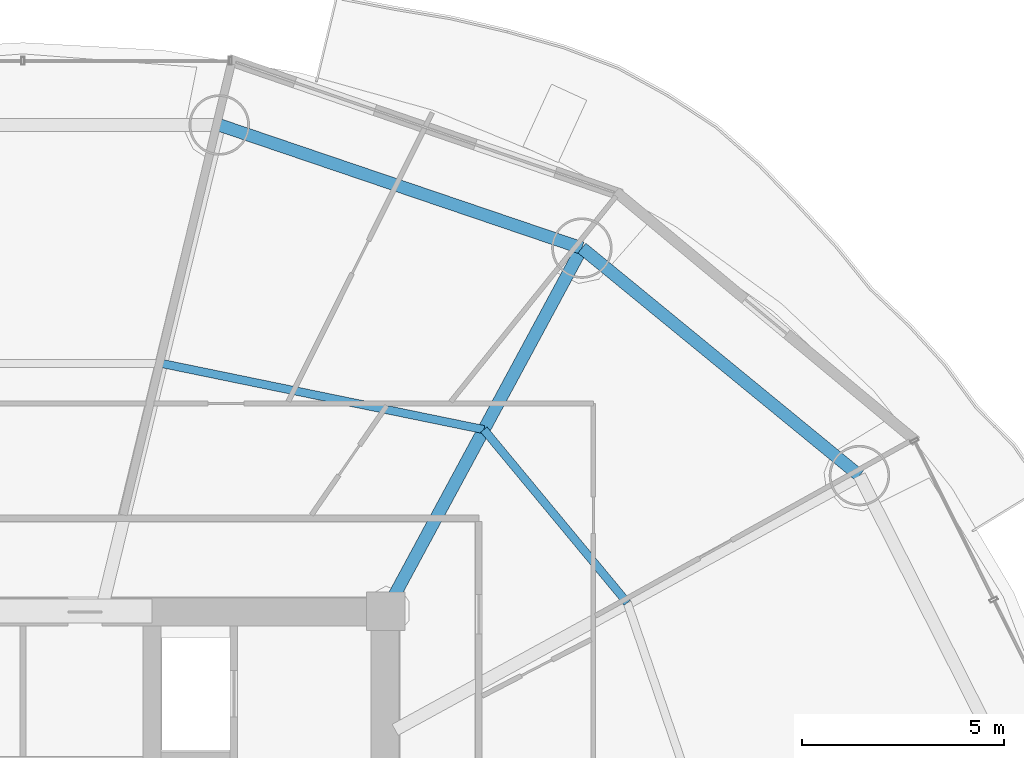
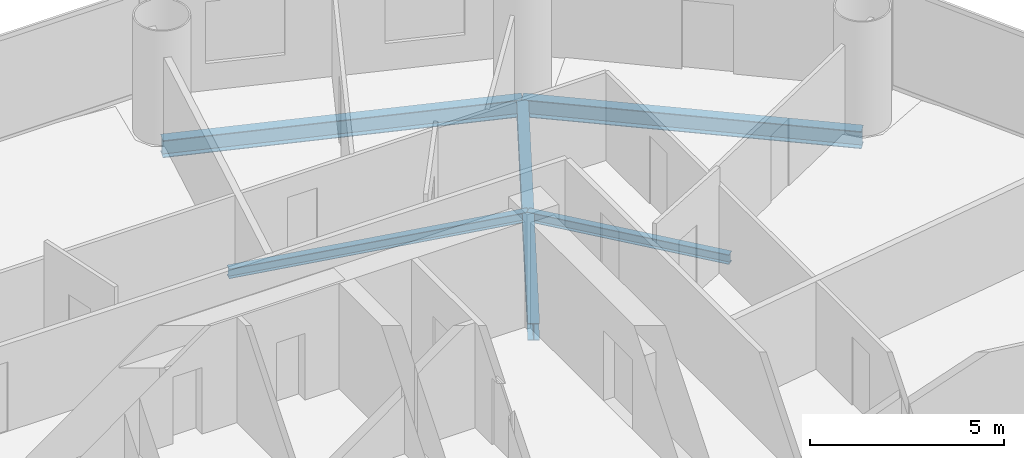
# One storey, part 18 of 28: 5 beams.
"""IFC4 building model written with IfcOpenShell, lengths in metres."""

from ifc_helpers import new_model, si_unit, direction, frame, origin, origin_2d, place, context, subcontext, project, spatial, i_section, extrude, material, material_profile, profile_set, type_object, element, save


model = new_model("IFC4")

# Units and contexts
model_context = context("Model", 3, precision=1e-05, world=origin(), true_north=direction((-0.2419218956, 0.970295726276)))
body_context = subcontext(model_context, "Body", "Model", "MODEL_VIEW")
ifc_project = project(units=[si_unit("LENGTHUNIT", "METRE"), si_unit("AREAUNIT", "SQUARE_METRE"), si_unit("VOLUMEUNIT", "CUBIC_METRE"), si_unit("PLANEANGLEUNIT", "RADIAN"), si_unit("MASSUNIT", "GRAM", prefix="KILO")], contexts=[model_context])

# Site, building, storey
site_placement = place(None, origin())
site = spatial("IfcSite", under=ifc_project, at=site_placement, CompositionType="ELEMENT")
building_placement = place(site_placement, origin())
building = spatial("IfcBuilding", under=site, at=building_placement, Name="Cobrevalo Terracotta Tower", CompositionType="ELEMENT")
storey_placement = place(building_placement, frame((0.0, 0.0, 108.60009765625)))
storey = spatial("IfcBuildingStorey", under=building, at=storey_placement, Name="L28", CompositionType="ELEMENT", Elevation=108.60009765625)

# Beams
ifc_material = material(Name="Steel S355", Category="steel")
ifc_material_profile_1 = material_profile(ifc_material, i_section(OverallWidth=0.31201171875, OverallDepth=0.54296875, WebThickness=0.0126953125, FlangeThickness=0.020263671875, at=origin_2d()), Name="W 530x150")
ifc_profile_set_1 = profile_set([ifc_material_profile_1], Name="Steel S355")
beam_type_1 = type_object("IfcBeamType", Name="Structural Beam W 530x150 (Steel S355)", PredefinedType="BEAM", material=ifc_profile_set_1)
beam_1_placement = place(storey_placement, frame((51.861572265625, 43.803466796875, -0.546630859375), z_axis=(-0.475128224431, -0.879916570107, 0.0), x_axis=(0.879916570107, -0.475128224431, 0.0)))
element("IfcBeam", 1, at=beam_1_placement, inside=storey, type_object=beam_type_1, Name="L28 radial floor girder 03", PredefinedType="BEAM", context=body_context, shape_type="SweptSolid", body=[
    extrude(i_section(OverallWidth=0.31201171875, OverallDepth=0.54296875, WebThickness=0.0126953125, FlangeThickness=0.020263671875, at=origin_2d()), origin(), (0.0, 0.0, 1.0), 10.232177734375),
])
ifc_material_profile_2 = material_profile(ifc_material, i_section(OverallWidth=0.2041015625, OverallDepth=0.305908203125, WebThickness=0.008544921875, FlangeThickness=0.0146484375, at=origin_2d()), Name="W 310x67")
ifc_profile_set_2 = profile_set([ifc_material_profile_2], Name="Steel S355")
beam_type_2 = type_object("IfcBeamType", Name="Structural Joist W 310x67 (Steel S355)", PredefinedType="JOIST", material=ifc_profile_set_2)
beam_2_placement = place(storey_placement, frame((52.987548828125, 35.00830078125, -0.427978515625), z_axis=(-0.6379592588, 0.77007011636, 0.0), x_axis=(-0.77007011636, -0.6379592588, 0.0)))
element("IfcBeam", 2, at=beam_2_placement, inside=storey, type_object=beam_type_2, Name="L28 circumferential secondary floor joist 02", PredefinedType="JOIST", context=body_context, shape_type="SweptSolid", body=[
    extrude(i_section(OverallWidth=0.2041015625, OverallDepth=0.305908203125, WebThickness=0.008544921875, FlangeThickness=0.0146484375, at=origin_2d()), origin(), (0.0, 0.0, 1.0), 5.575439453125),
])
beam_3_placement = place(storey_placement, frame((49.4306640625, 39.3017578125, -0.427978515625), z_axis=(-0.979574469315, 0.201081722357, 0.0), x_axis=(-0.201081722357, -0.979574469315, 0.0)))
element("IfcBeam", 3, at=beam_3_placement, inside=storey, type_object=beam_type_2, Name="L28 circumferential secondary floor joist 03", PredefinedType="JOIST", context=body_context, shape_type="SweptSolid", body=[
    extrude(i_section(OverallWidth=0.2041015625, OverallDepth=0.305908203125, WebThickness=0.008544921875, FlangeThickness=0.0146484375, at=origin_2d()), origin(), (0.0, 0.0, 1.0), 8.1650390625),
])
ifc_material_profile_3 = material_profile(ifc_material, i_section(OverallWidth=0.31201171875, OverallDepth=0.54296875, WebThickness=0.0126953125, FlangeThickness=0.020263671875, at=origin_2d()), Name="W 530x150")
ifc_profile_set_3 = profile_set([ifc_material_profile_3], Name="Steel S355")
beam_type_3 = type_object("IfcBeamType", Name="Structural Spandrel W 530x150 (Steel S355)", PredefinedType="SPANDREL", material=ifc_profile_set_3)
beam_4_placement = place(storey_placement, frame((58.7451171875, 38.161376953125, -0.546630859375), z_axis=(-0.773400923541, 0.633917196064, 0.0), x_axis=(-0.633917196064, -0.773400923541, 0.0)))
element("IfcBeam", 4, at=beam_4_placement, inside=storey, type_object=beam_type_3, Name="L28 perimeter ring spandrel 02", PredefinedType="SPANDREL", context=body_context, shape_type="SweptSolid", body=[
    extrude(i_section(OverallWidth=0.31201171875, OverallDepth=0.54296875, WebThickness=0.0126953125, FlangeThickness=0.020263671875, at=origin_2d()), origin(), (0.0, 0.0, 1.0), 8.900390625),
])
beam_5_placement = place(storey_placement, frame((51.861572265625, 43.803466796875, -0.546630859375), z_axis=(-0.946910528816, 0.32149720126, 0.0), x_axis=(-0.32149720126, -0.946910528816, 0.0)))
element("IfcBeam", 5, at=beam_5_placement, inside=storey, type_object=beam_type_3, Name="L28 perimeter ring spandrel 03", PredefinedType="SPANDREL", context=body_context, shape_type="SweptSolid", body=[
    extrude(i_section(OverallWidth=0.31201171875, OverallDepth=0.54296875, WebThickness=0.0126953125, FlangeThickness=0.020263671875, at=origin_2d()), origin(), (0.0, 0.0, 1.0), 9.498291015625),
])

save(model, "model.ifc")
